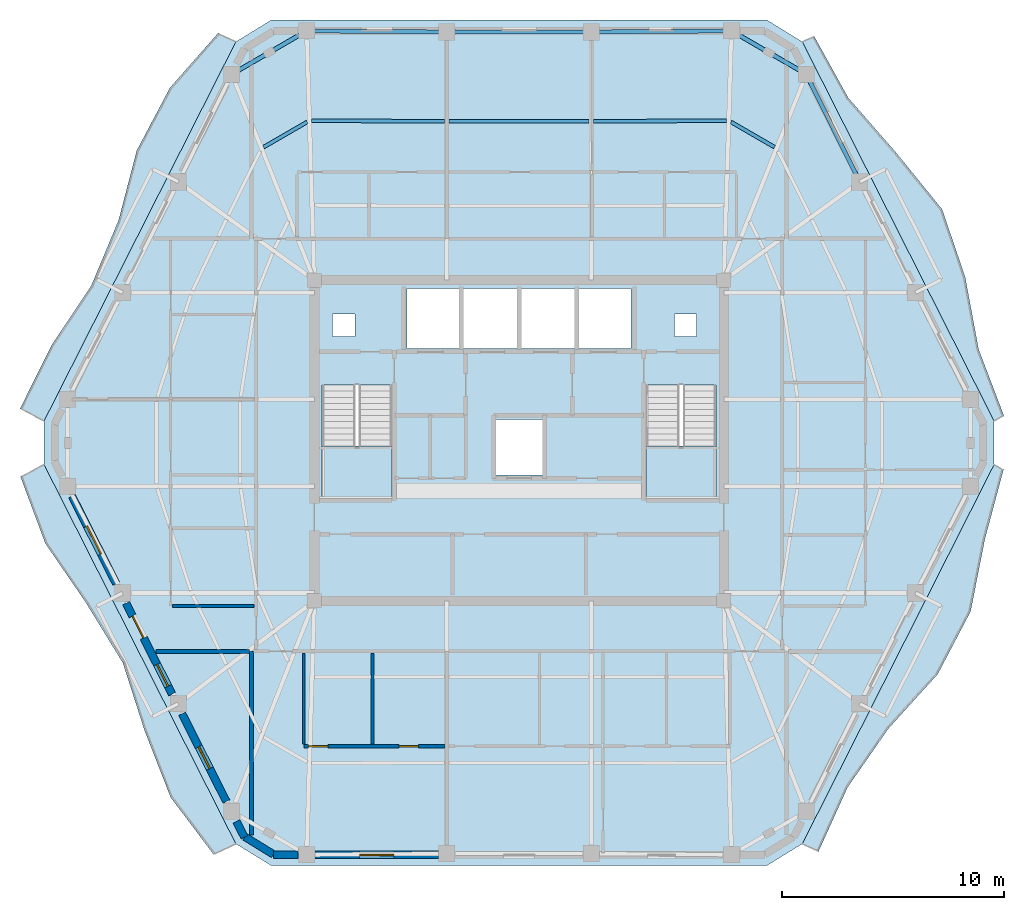
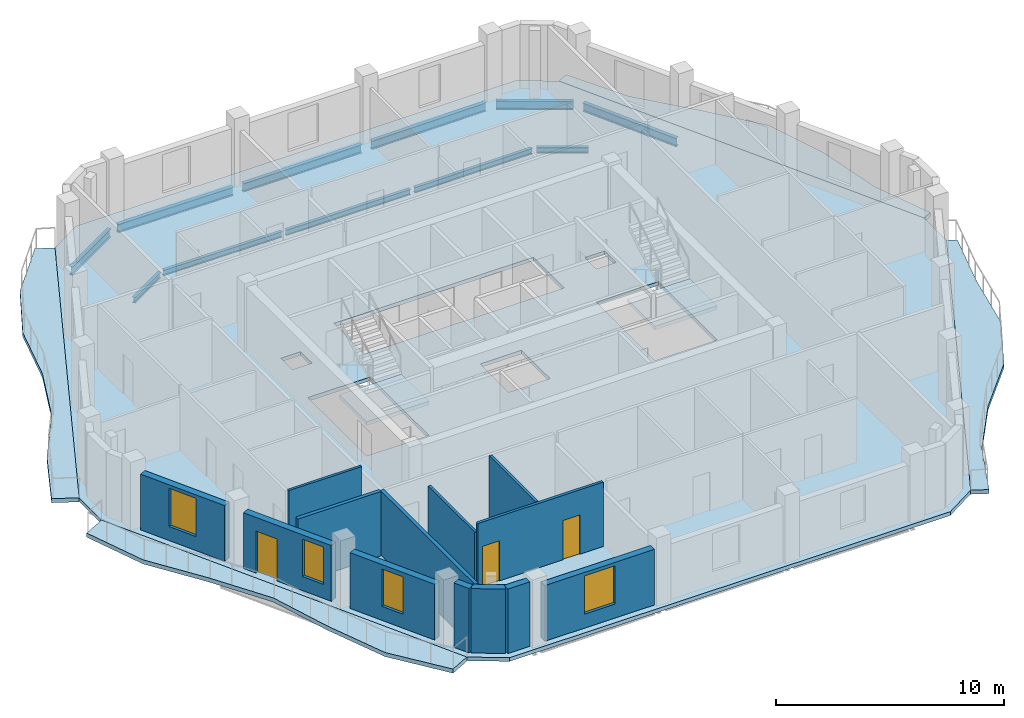
# One storey, part 3 of 12: 13 walls, 11 beams, 7 slabs, 4 windows, 3 doors, 7 openings, 2 elements without a shape of their own.
"""IFC4 building model written with IfcOpenShell, lengths in metres."""

from ifc_helpers import new_model, si_unit, direction, frame, frame_2d, origin, origin_2d, place, context, subcontext, project, spatial, polyline, rectangle, i_section, outline, extrude, material, layer, layer_set, material_profile, profile_set, type_object, element, fill, aggregate, save


model = new_model("IFC4")

# Units and contexts
model_context = context("Model", 3, precision=1e-05, world=origin(), true_north=direction((0.0, 1.0)))
body_context = subcontext(model_context, "Body", "Model", "MODEL_VIEW")
ifc_project = project(units=[si_unit("LENGTHUNIT", "METRE"), si_unit("AREAUNIT", "SQUARE_METRE"), si_unit("VOLUMEUNIT", "CUBIC_METRE"), si_unit("PLANEANGLEUNIT", "RADIAN"), si_unit("MASSUNIT", "GRAM", prefix="KILO")], contexts=[model_context])

# Site, building, storey
site_placement = place(None, origin())
site = spatial("IfcSite", under=ifc_project, at=site_placement, CompositionType="ELEMENT")
building_placement = place(site_placement, origin())
building = spatial("IfcBuilding", under=site, at=building_placement, Name="Cinnabar Lancet Tower", CompositionType="ELEMENT")
storey_placement = place(building_placement, frame((0.0, 0.0, 237.949951171875)))
storey = spatial("IfcBuildingStorey", under=building, at=storey_placement, Name="L63", CompositionType="ELEMENT", Elevation=237.949951171875)

# Beams
ifc_material_1 = material(Name="Structural steel S355", Category="steel")
ifc_material_profile_1 = material_profile(ifc_material_1, i_section(OverallWidth=0.1650390625, OverallDepth=0.303466796875, WebThickness=0.006103515625, FlangeThickness=0.01025390625, FilletRadius=0.0087890625, at=origin_2d()), Name="UKB 305x165x40")
ifc_profile_set_1 = profile_set([ifc_material_profile_1], Name="Structural steel S355")
beam_type_1 = type_object("IfcBeamType", Name="STR-BM-JST-305", PredefinedType="JOIST", material=ifc_profile_set_1)
beam_1_placement = place(storey_placement, frame((43.912109375, 39.1201171875, -0.35205078125), z_axis=(-0.865426285481, 0.501036270542, 0.0), x_axis=(-0.501036270542, -0.865426285481, 0.0)))
element("IfcBeam", 1, at=beam_1_placement, inside=storey, type_object=beam_type_1, Name="L63 Secondary Floor Joist 29", PredefinedType="JOIST", context=body_context, shape_type="SweptSolid", body=[
    extrude(i_section(OverallWidth=0.1650390625, OverallDepth=0.303466796875, WebThickness=0.006103515625, FlangeThickness=0.01025390625, FilletRadius=0.0087890625, at=origin_2d()), origin(), (0.0, 0.0, 1.0), 2.267333984375),
])
beam_2_placement = place(storey_placement, frame((41.741943359375, 40.31494140625, -0.35205078125), z_axis=(-0.999985712428, -0.005345553266, 0.0), x_axis=(0.005345553266, -0.999985712428, 0.0)))
element("IfcBeam", 2, at=beam_2_placement, inside=storey, type_object=beam_type_1, Name="L63 Secondary Floor Joist 30", PredefinedType="JOIST", context=body_context, shape_type="SweptSolid", body=[
    extrude(i_section(OverallWidth=0.1650390625, OverallDepth=0.303466796875, WebThickness=0.006103515625, FlangeThickness=0.01025390625, FilletRadius=0.0087890625, at=origin_2d()), origin(), (0.0, 0.0, 1.0), 5.98291015625),
])
beam_3_placement = place(storey_placement, frame((35.549072265625, 40.281982421875, -0.35205078125), z_axis=(-1.0, 0.0, 0.0), x_axis=(0.0, -1.0, 0.0)))
element("IfcBeam", 3, at=beam_3_placement, inside=storey, type_object=beam_type_1, Name="L63 Secondary Floor Joist 32", PredefinedType="JOIST", context=body_context, shape_type="SweptSolid", body=[
    extrude(i_section(OverallWidth=0.1650390625, OverallDepth=0.303466796875, WebThickness=0.006103515625, FlangeThickness=0.01025390625, FilletRadius=0.0087890625, at=origin_2d()), origin(), (0.0, 0.0, 1.0), 6.298095703125),
])
beam_4_placement = place(storey_placement, frame((29.041015625, 40.282958984375, -0.35205078125), z_axis=(-0.999985712428, 0.005345553266, 0.0), x_axis=(-0.005345553266, -0.999985712428, 0.0)))
element("IfcBeam", 4, at=beam_4_placement, inside=storey, type_object=beam_type_1, Name="L63 Secondary Floor Joist 34", PredefinedType="JOIST", context=body_context, shape_type="SweptSolid", body=[
    extrude(i_section(OverallWidth=0.1650390625, OverallDepth=0.303466796875, WebThickness=0.006103515625, FlangeThickness=0.01025390625, FilletRadius=0.0087890625, at=origin_2d()), origin(), (0.0, 0.0, 1.0), 5.98291015625),
])
beam_5_placement = place(storey_placement, frame((22.85009765625, 40.256103515625, -0.35205078125), z_axis=(-0.865426285481, -0.501036270542, 0.0), x_axis=(0.501036270542, -0.865426285481, 0.0)))
element("IfcBeam", 5, at=beam_5_placement, inside=storey, type_object=beam_type_1, Name="L63 Secondary Floor Joist 36", PredefinedType="JOIST", context=body_context, shape_type="SweptSolid", body=[
    extrude(i_section(OverallWidth=0.1650390625, OverallDepth=0.303466796875, WebThickness=0.006103515625, FlangeThickness=0.01025390625, FilletRadius=0.0087890625, at=origin_2d()), origin(), (0.0, 0.0, 1.0), 2.267333984375),
])
ifc_material_2 = material(Name="Structural steel S355", Category="steel")
ifc_material_profile_2 = material_profile(ifc_material_2, i_section(OverallWidth=0.1904296875, OverallDepth=0.45703125, WebThickness=0.009033203125, FlangeThickness=0.014404296875, FilletRadius=0.01025390625, at=origin_2d()), Name="UKB 457x191x74")
ifc_profile_set_2 = profile_set([ifc_material_profile_2], Name="Structural steel S355")
beam_type_2 = type_object("IfcBeamType", Name="STR-BM-SPN-457", PredefinedType="SPANDREL", material=ifc_profile_set_2)
beam_6_placement = place(storey_placement, frame((47.637939453125, 37.778076171875, -0.427978515625), z_axis=(-0.444372599207, 0.895842058107, 0.0), x_axis=(-0.895842058107, -0.444372599207, 0.0)))
element("IfcBeam", 6, at=beam_6_placement, inside=storey, type_object=beam_type_2, Name="L63 Perimeter Spandrel 11", PredefinedType="SPANDREL", context=body_context, shape_type="SweptSolid", body=[
    extrude(i_section(OverallWidth=0.1904296875, OverallDepth=0.45703125, WebThickness=0.009033203125, FlangeThickness=0.014404296875, FilletRadius=0.01025390625, at=origin_2d()), origin(), (0.0, 0.0, 1.0), 4.91943359375),
])
beam_7_placement = place(storey_placement, frame((45.125, 42.533935546875, -0.427978515625), z_axis=(-0.865199693264, 0.501427453153, 0.0), x_axis=(-0.501427453153, -0.865199693264, 0.0)))
element("IfcBeam", 7, at=beam_7_placement, inside=storey, type_object=beam_type_2, Name="L63 Perimeter Spandrel 12", PredefinedType="SPANDREL", context=body_context, shape_type="SweptSolid", body=[
    extrude(i_section(OverallWidth=0.1904296875, OverallDepth=0.45703125, WebThickness=0.009033203125, FlangeThickness=0.014404296875, FilletRadius=0.01025390625, at=origin_2d()), origin(), (0.0, 0.0, 1.0), 3.39453125),
])
beam_8_placement = place(storey_placement, frame((41.721923828125, 44.35888671875, -0.427978515625), z_axis=(-0.999964782464, -0.008392486634, 0.0), x_axis=(0.008392486634, -0.999964782464, 0.0)))
element("IfcBeam", 8, at=beam_8_placement, inside=storey, type_object=beam_type_2, Name="L63 Perimeter Spandrel 13", PredefinedType="SPANDREL", context=body_context, shape_type="SweptSolid", body=[
    extrude(i_section(OverallWidth=0.1904296875, OverallDepth=0.45703125, WebThickness=0.009033203125, FlangeThickness=0.014404296875, FilletRadius=0.01025390625, at=origin_2d()), origin(), (0.0, 0.0, 1.0), 5.818115234375),
])
beam_9_placement = place(storey_placement, frame((35.404052734375, 44.30810546875, -0.427978515625), z_axis=(-1.0, 0.0, 0.0), x_axis=(0.0, -1.0, 0.0)))
element("IfcBeam", 9, at=beam_9_placement, inside=storey, type_object=beam_type_2, Name="L63 Perimeter Spandrel 14", PredefinedType="SPANDREL", context=body_context, shape_type="SweptSolid", body=[
    extrude(i_section(OverallWidth=0.1904296875, OverallDepth=0.45703125, WebThickness=0.009033203125, FlangeThickness=0.014404296875, FilletRadius=0.01025390625, at=origin_2d()), origin(), (0.0, 0.0, 1.0), 6.008056640625),
])
beam_10_placement = place(storey_placement, frame((28.89599609375, 44.31005859375, -0.427978515625), z_axis=(-0.999964785419, 0.008392134492, 0.0), x_axis=(-0.008392134492, -0.999964785419, 0.0)))
element("IfcBeam", 10, at=beam_10_placement, inside=storey, type_object=beam_type_2, Name="L63 Perimeter Spandrel 15", PredefinedType="SPANDREL", context=body_context, shape_type="SweptSolid", body=[
    extrude(i_section(OverallWidth=0.1904296875, OverallDepth=0.45703125, WebThickness=0.009033203125, FlangeThickness=0.014404296875, FilletRadius=0.01025390625, at=origin_2d()), origin(), (0.0, 0.0, 1.0), 5.818359375),
])
beam_11_placement = place(storey_placement, frame((22.612060546875, 44.236083984375, -0.427978515625), z_axis=(-0.865199693264, -0.501427453153, 0.0), x_axis=(0.501427453153, -0.865199693264, 0.0)))
element("IfcBeam", 11, at=beam_11_placement, inside=storey, type_object=beam_type_2, Name="L63 Perimeter Spandrel 16", PredefinedType="SPANDREL", context=body_context, shape_type="SweptSolid", body=[
    extrude(i_section(OverallWidth=0.1904296875, OverallDepth=0.45703125, WebThickness=0.009033203125, FlangeThickness=0.014404296875, FilletRadius=0.01025390625, at=origin_2d()), origin(), (0.0, 0.0, 1.0), 3.39453125),
])

# Stair, slab
ifc_material_3 = material(Name="Concrete C40/50", Category="concrete")
stair_type = type_object("IfcStairType", Name="ST-CORE", PredefinedType="HALF_TURN_STAIR", material=ifc_material_3)
stair_1_placement = place(storey_placement, origin())
stair_1 = element("IfcStair", 12, at=stair_1_placement, inside=storey, type_object=stair_type, Name="L63 ST-1", PredefinedType="HALF_TURN_STAIR")
ifc_material_4 = material(Name="Concrete C40/50", Category="concrete")
ifc_layer_1 = layer(ifc_material_4, 0.199951171875)
ifc_layer_set_1 = layer_set([ifc_layer_1], Name="Concrete C40/50")
slab_type_1 = type_object("IfcSlabType", Name="LANDING-CORE", PredefinedType="LANDING", material=ifc_layer_set_1)
slab_1_placement = place(storey_placement, frame((0.0, 0.0, 1.625)))
slab_1 = element("IfcSlab", 13, at=slab_1_placement, type_object=slab_type_1, Name="ST-1 landing 1", PredefinedType="LANDING", context=body_context, shape_type="SweptSolid", body=[
    extrude(outline(polyline([(23.52490234375, 25.64990234375), (23.52490234375, 23.25), (26.675048828125, 23.25), (26.675048828125, 25.64990234375), (23.52490234375, 25.64990234375)])), origin(), (0.0, 0.0, 1.0), 0.199951171875),
])
aggregate(stair_1, [slab_1])

stair_2_placement = place(storey_placement, origin())
stair_2 = element("IfcStair", 14, at=stair_2_placement, inside=storey, type_object=stair_type, Name="L63 ST-2", PredefinedType="HALF_TURN_STAIR")
slab_2_placement = place(storey_placement, frame((0.0, 0.0, 1.625)))
slab_2 = element("IfcSlab", 15, at=slab_2_placement, type_object=slab_type_1, Name="ST-2 landing 1", PredefinedType="LANDING", context=body_context, shape_type="SweptSolid", body=[
    extrude(outline(polyline([(38.125, 25.64990234375), (38.125, 23.25), (41.27490234375, 23.25), (41.27490234375, 25.64990234375), (38.125, 25.64990234375)])), origin(), (0.0, 0.0, 1.0), 0.199951171875),
])
aggregate(stair_2, [slab_2])

# Slabs
ifc_material_5 = material(Name="Concrete C40/50", Category="concrete")
ifc_layer_2 = layer(ifc_material_5, 0.199951171875)
ifc_layer_set_2 = layer_set([ifc_layer_2], Name="Concrete C40/50")
slab_type_2 = type_object("IfcSlabType", Name="STR-SLB-FLR-200", PredefinedType="FLOOR", material=ifc_layer_set_2)
slab_3_placement = place(storey_placement, frame((0.0, 0.0, -0.199951171875)))
element("IfcSlab", 16, at=slab_3_placement, inside=storey, type_object=slab_type_2, Name="L63 Structural Floor Slab", PredefinedType="FLOOR", context=body_context, shape_type="SweptSolid", body=[
    extrude(outline(polyline([(19.638916015625, 7.73193359375), (21.236083984375, 6.75), (43.56396484375, 6.75), (45.160888671875, 7.73193359375), (53.802978515625, 24.818115234375), (53.802978515625, 26.781982421875), (45.160888671875, 43.867919921875), (43.56396484375, 44.85009765625), (21.236083984375, 44.85009765625), (19.638916015625, 43.867919921875), (10.9970703125, 26.781982421875), (10.9970703125, 24.818115234375), (19.638916015625, 7.73193359375)]), holes=[polyline([(23.52490234375, 23.25), (26.675048828125, 23.25), (26.675048828125, 28.3994140625), (23.52490234375, 28.3994140625), (23.52490234375, 23.25)]), polyline([(38.125, 23.25), (41.27490234375, 23.25), (41.27490234375, 28.3994140625), (38.125, 28.3994140625), (38.125, 23.25)]), polyline([(27.35009765625, 30.050048828125), (37.449951171875, 30.050048828125), (37.449951171875, 32.75), (27.35009765625, 32.75), (27.35009765625, 30.050048828125)]), polyline([(31.35009765625, 24.35009765625), (33.449951171875, 24.35009765625), (33.449951171875, 26.85009765625), (31.35009765625, 26.85009765625), (31.35009765625, 24.35009765625)]), polyline([(24.0, 30.60009765625), (25.0, 30.60009765625), (25.0, 31.60009765625), (24.0, 31.60009765625), (24.0, 30.60009765625)]), polyline([(39.39990234375, 30.60009765625), (40.39990234375, 30.60009765625), (40.39990234375, 31.60009765625), (39.39990234375, 31.60009765625), (39.39990234375, 30.60009765625)])]), origin(), (0.0, 0.0, 1.0), 0.199951171875),
])
ifc_material_6 = material(Name="Concrete C45/55", Category="concrete")
ifc_layer_3 = layer(ifc_material_6, 0.219970703125)
ifc_layer_set_3 = layer_set([ifc_layer_3], Name="Concrete C45/55")
slab_type_3 = type_object("IfcSlabType", Name="STR-SLB-WAV-220", PredefinedType="FLOOR", material=ifc_layer_set_3)
slab_4_placement = place(storey_placement, frame((0.0, 0.0, -0.219970703125)))
element("IfcSlab", 17, at=slab_4_placement, inside=storey, type_object=slab_type_3, Name="L63 Face 2 Undulating Wave Balcony Slab", PredefinedType="FLOOR", context=body_context, shape_type="SweptSolid", body=[
    extrude(outline(polyline([(45.160888671875, 7.73193359375), (45.881103515625, 7.367919921875), (47.199951171875, 10.277099609375), (49.0400390625, 12.923095703125), (51.261962890625, 15.375), (52.742919921875, 18.201904296875), (53.385009765625, 21.452880859375), (54.22900390625, 24.60205078125), (53.802978515625, 24.818115234375), (45.160888671875, 7.73193359375)])), origin(), (0.0, 0.0, 1.0), 0.219970703125),
])
slab_5_placement = place(storey_placement, frame((0.0, 0.0, -0.219970703125)))
element("IfcSlab", 18, at=slab_5_placement, inside=storey, type_object=slab_type_3, Name="L63 Face 3 Undulating Wave Balcony Slab", PredefinedType="FLOOR", context=body_context, shape_type="SweptSolid", body=[
    extrude(outline(polyline([(53.802978515625, 26.781982421875), (54.2490234375, 27.008056640625), (53.10693359375, 30.006103515625), (52.498046875, 33.27392578125), (51.4580078125, 36.323974609375), (49.39990234375, 38.860107421875), (47.23388671875, 41.340087890625), (45.68505859375, 44.133056640625), (45.160888671875, 43.867919921875), (53.802978515625, 26.781982421875)])), origin(), (0.0, 0.0, 1.0), 0.219970703125),
])
slab_6_placement = place(storey_placement, frame((0.0, 0.0, -0.219970703125)))
element("IfcSlab", 19, at=slab_6_placement, inside=storey, type_object=slab_type_3, Name="L63 Face 5 Undulating Wave Balcony Slab", PredefinedType="FLOOR", context=body_context, shape_type="SweptSolid", body=[
    extrude(outline(polyline([(19.638916015625, 43.867919921875), (18.847900390625, 44.26806640625), (16.6689453125, 41.7939453125), (15.176025390625, 38.972900390625), (14.35107421875, 35.81396484375), (13.117919921875, 32.861083984375), (11.33203125, 30.18896484375), (9.9130859375, 27.330078125), (10.9970703125, 26.781982421875), (19.638916015625, 43.867919921875)])), origin(), (0.0, 0.0, 1.0), 0.219970703125),
])
slab_7_placement = place(storey_placement, frame((0.0, 0.0, -0.219970703125)))
element("IfcSlab", 20, at=slab_7_placement, inside=storey, type_object=slab_type_3, Name="L63 Face 6 Undulating Wave Balcony Slab", PredefinedType="FLOOR", context=body_context, shape_type="SweptSolid", body=[
    extrude(outline(polyline([(10.9970703125, 24.818115234375), (9.93310546875, 24.280029296875), (11.052978515625, 21.27001953125), (12.873046875, 18.614013671875), (14.547119140625, 15.885009765625), (15.535888671875, 12.80908203125), (16.702880859375, 9.822998046875), (18.652099609375, 7.23291015625), (19.638916015625, 7.73193359375), (10.9970703125, 24.818115234375)])), origin(), (0.0, 0.0, 1.0), 0.219970703125),
])

# Walls
ifc_material_7 = material(Name="Fire-rated twin-frame acoustic drywall", Category="gypsum")
ifc_layer_4 = layer(ifc_material_7, 0.179931640625)
ifc_layer_set_4 = layer_set([ifc_layer_4], Name="Fire-rated twin-frame acoustic drywall")
wall_type_1 = type_object("IfcWallType", Name="ARC-WL-PARTY-180", PredefinedType="PARTITIONING", material=ifc_layer_set_4)
wall_1_placement = place(storey_placement, frame((20.35009765625, 8.118896484375, 0.0), z_axis=(0.0, 0.0, 1.0), x_axis=(0.0, 1.0, 0.0)))
element("IfcWall", 21, at=wall_1_placement, inside=storey, type_object=wall_type_1, Name="PW-L63-SPTY-204", PredefinedType="PARTITIONING", context=body_context, shape_type="SweptSolid", body=[
    extrude(rectangle(XDim=8.281005859375, YDim=0.179931640625, at=frame_2d((4.140625, 0.0))), origin(), (0.0, 0.0, 1.0), 3.449951171875),
])
wall_2_placement = place(storey_placement, frame((16.033935546875, 16.39990234375, 0.0), z_axis=(0.0, 0.0, 1.0), x_axis=(1.0, 0.0, 0.0)))
element("IfcWall", 22, at=wall_2_placement, inside=storey, type_object=wall_type_1, Name="PW-L63-WSB", PredefinedType="PARTITIONING", context=body_context, shape_type="SweptSolid", body=[
    extrude(rectangle(XDim=4.220947265625, YDim=0.179931640625, at=frame_2d((2.1103515625, 0.0))), origin(), (0.0, 0.0, 1.0), 3.449951171875),
])
ifc_material_8 = material(Name="Gypsum plasterboard stud partition", Category="gypsum")
ifc_layer_5 = layer(ifc_material_8, 0.125)
ifc_layer_set_5 = layer_set([ifc_layer_5], Name="Gypsum plasterboard stud partition")
wall_type_2 = type_object("IfcWallType", Name="ARC-WL-UNIT-125", PredefinedType="PARTITIONING", material=ifc_layer_set_5)
wall_3_placement = place(storey_placement, frame((22.699951171875, 12.235107421875, 0.0), z_axis=(0.0, 0.0, 1.0), x_axis=(0.0, 1.0, 0.0)))
element("IfcWall", 23, at=wall_3_placement, inside=storey, type_object=wall_type_2, Name="UW-L63-S01-FOYE", PredefinedType="PARTITIONING", context=body_context, shape_type="SweptSolid", body=[
    extrude(rectangle(XDim=4.079833984375, YDim=0.125, at=frame_2d((2.0400390625, 0.0))), origin(), (0.0, 0.0, 1.0), 2.906982421875),
])
wall_4_placement = place(storey_placement, frame((16.784912109375, 18.449951171875, 0.0), z_axis=(0.0, 0.0, 1.0), x_axis=(1.0, 0.0, 0.0)))
element("IfcWall", 24, at=wall_4_placement, inside=storey, type_object=wall_type_2, Name="UW-L63-W01-FOYN", PredefinedType="PARTITIONING", context=body_context, shape_type="SweptSolid", body=[
    extrude(rectangle(XDim=3.68017578125, YDim=0.125, at=frame_2d((1.840087890625, 0.0))), origin(), (0.0, 0.0, 1.0), 3.449951171875),
])

# Wall, openings, doors
ifc_material_9 = material(Name="Moisture-resistant cement-board plumbing wall", Category="masonry")
ifc_layer_6 = layer(ifc_material_9, 0.139892578125)
ifc_layer_set_6 = layer_set([ifc_layer_6], Name="Moisture-resistant cement-board plumbing wall")
wall_type_3 = type_object("IfcWallType", Name="ARC-WL-WET-140", PredefinedType="PLUMBINGWALL", material=ifc_layer_set_6)
wall_5_placement = place(storey_placement, frame((22.699951171875, 12.1298828125, 0.0), z_axis=(0.0, 0.0, 1.0), x_axis=(1.0, 0.0, 0.0)))
wall_5 = element("IfcWall", 25, at=wall_5_placement, inside=storey, type_object=wall_type_3, Name="UW-L63-S01-SPL", PredefinedType="PLUMBINGWALL", context=body_context, shape_type="SweptSolid", body=[
    extrude(rectangle(XDim=6.35107421875, YDim=0.139892578125, at=frame_2d((3.175537109375, 0.0))), origin(), (0.0, 0.0, 1.0), 3.449951171875),
])
opening_1_placement = place(wall_5_placement, frame((4.298095703125, 0.0, 0.0)))
opening_1 = element("IfcOpeningElement", 26, at=opening_1_placement, cuts=wall_5, Name="Opening BD-01", PredefinedType="OPENING", context=body_context, shape_type="SweptSolid", body=[
    extrude(rectangle(XDim=0.860107421875, YDim=2.10009765625, at=frame_2d((0.43017578125, 1.050048828125))), frame((0.0, 0.079833984375, 0.0), z_axis=(0.0, -1.0, 0.0), x_axis=(1.0, 0.0, 0.0)), (0.0, 0.0, 1.0), 0.159912109375),
])
opening_2_placement = place(wall_5_placement, frame((0.219970703125, 0.0, 0.0)))
opening_2 = element("IfcOpeningElement", 27, at=opening_2_placement, cuts=wall_5, Name="Opening RD-02", PredefinedType="OPENING", context=body_context, shape_type="SweptSolid", body=[
    extrude(rectangle(XDim=0.8798828125, YDim=2.14990234375, at=frame_2d((0.43994140625, 1.074951171875))), frame((0.0, 0.079833984375, 0.0), z_axis=(0.0, -1.0, 0.0), x_axis=(1.0, 0.0, 0.0)), (0.0, 0.0, 1.0), 0.159912109375),
])
ifc_material_10 = material(Name="Moisture-resistant timber bathroom door", Category="wood")
door_type_1 = type_object("IfcDoorType", Name="ARC-DR-BATH", OperationType="NOTDEFINED", PredefinedType="DOOR", material=ifc_material_10)
door_1_placement = place(opening_1_placement, origin())
door_1 = element("IfcDoor", 28, at=door_1_placement, inside=storey, type_object=door_type_1, Name="DR-L63-S01-BTH", OperationType="SINGLE_SWING_LEFT", OverallHeight=2.10009765625, OverallWidth=0.860107421875, PredefinedType="DOOR", context=body_context, shape_type="SweptSolid", body=[
    extrude(rectangle(XDim=0.860107421875, YDim=2.10009765625, at=frame_2d((0.43017578125, 1.050048828125))), frame((0.0, 0.02490234375, 0.0), z_axis=(0.0, -1.0, 0.0), x_axis=(1.0, 0.0, 0.0)), (0.0, 0.0, 1.0), 0.050048828125),
])
fill(opening_1, door_1)
ifc_material_11 = material(Name="Engineered timber study door", Category="wood")
door_type_2 = type_object("IfcDoorType", Name="ARC-DR-STUDY", OperationType="NOTDEFINED", PredefinedType="DOOR", material=ifc_material_11)
door_2_placement = place(opening_2_placement, origin())
door_2 = element("IfcDoor", 29, at=door_2_placement, inside=storey, type_object=door_type_2, Name="DR-L63-S01-KIT", OperationType="SINGLE_SWING_RIGHT", OverallHeight=2.14990234375, OverallWidth=0.8798828125, PredefinedType="DOOR", context=body_context, shape_type="SweptSolid", body=[
    extrude(rectangle(XDim=0.8798828125, YDim=2.14990234375, at=frame_2d((0.43994140625, 1.074951171875))), frame((0.0, 0.02490234375, 0.0), z_axis=(0.0, -1.0, 0.0), x_axis=(1.0, 0.0, 0.0)), (0.0, 0.0, 1.0), 0.050048828125),
])
fill(opening_2, door_2)

# Walls
wall_6_placement = place(storey_placement, frame((25.7939453125, 12.235107421875, 0.0), z_axis=(0.0, 0.0, 1.0), x_axis=(0.0, 1.0, 0.0)))
element("IfcWall", 30, at=wall_6_placement, inside=storey, type_object=wall_type_3, Name="UW-L63-S01-KDV", PredefinedType="PLUMBINGWALL", context=body_context, shape_type="SweptSolid", body=[
    extrude(rectangle(XDim=4.079833984375, YDim=0.139892578125, at=frame_2d((2.0400390625, 0.0))), origin(), (0.0, 0.0, 1.0), 3.449951171875),
])
ifc_material_12 = material(Name="Cinnabar red clay brick", Category="masonry")
ifc_layer_7 = layer(ifc_material_12, 0.340087890625)
ifc_layer_set_7 = layer_set([ifc_layer_7], Name="Cinnabar red clay brick")
wall_type_4 = type_object("IfcWallType", Name="ENV-WL-BRK-RED-340", PredefinedType="STANDARD", material=ifc_layer_set_7)
wall_7_placement = place(storey_placement, frame((20.047119140625, 8.044921875, 0.0), z_axis=(0.0, 0.0, 1.0), x_axis=(0.851680557619, -0.52406128246, 0.0)))
element("IfcWall", 31, at=wall_7_placement, inside=storey, type_object=wall_type_4, Name="L63 Chamfered Corner Brick Pier 1.1", PredefinedType="STANDARD", context=body_context, shape_type="SweptSolid", body=[
    extrude(rectangle(XDim=1.507568359375, YDim=0.340087890625, at=frame_2d((0.75390625, 0.0))), origin(), (0.0, 0.0, 1.0), 3.449951171875),
])
wall_8_placement = place(storey_placement, frame((21.325927734375, 7.22998046875, 0.0), z_axis=(0.0, 0.0, 1.0), x_axis=(1.0, 0.0, 0.0)))
element("IfcWall", 32, at=wall_8_placement, inside=storey, type_object=wall_type_4, Name="L63 Face 1 Masonry Bay Wall 1", PredefinedType="STANDARD", context=body_context, shape_type="SweptSolid", body=[
    extrude(rectangle(XDim=1.123046875, YDim=0.340087890625, at=frame_2d((0.5615234375, 0.0))), origin(), (0.0, 0.0, 1.0), 3.449951171875),
])

# Wall, opening, window
wall_9_placement = place(storey_placement, frame((23.20703125, 7.22998046875, 0.0), z_axis=(0.0, 0.0, 1.0), x_axis=(1.0, 0.0, 0.0)))
wall_9 = element("IfcWall", 33, at=wall_9_placement, inside=storey, type_object=wall_type_4, Name="L63 Face 1 Masonry Bay Wall 2", PredefinedType="STANDARD", context=body_context, shape_type="SweptSolid", body=[
    extrude(rectangle(XDim=5.56005859375, YDim=0.340087890625, at=frame_2d((2.780029296875, 0.0))), origin(), (0.0, 0.0, 1.0), 2.983154296875),
])
opening_3_placement = place(wall_9_placement, frame((2.0048828125, 0.0, 0.75)))
opening_3 = element("IfcOpeningElement", 34, at=opening_3_placement, cuts=wall_9, Name="Opening WN-01", PredefinedType="OPENING", context=body_context, shape_type="SweptSolid", body=[
    extrude(rectangle(XDim=1.550048828125, YDim=2.050048828125, at=frame_2d((0.77490234375, 1.02490234375))), frame((0.0, 0.179931640625, 0.0), z_axis=(0.0, -1.0, 0.0), x_axis=(1.0, 0.0, 0.0)), (0.0, 0.0, 1.0), 0.360107421875),
])
ifc_material_13 = material(Name="Thermally broken bronze-anodized aluminium low-E double glazing", Category="aluminium")
window_type_1 = type_object("IfcWindowType", Name="ENV-WN-LANCET-1550", PartitioningType="SINGLE_PANEL", PredefinedType="WINDOW", material=ifc_material_13)
window_1_placement = place(opening_3_placement, origin())
window_1 = element("IfcWindow", 35, at=window_1_placement, inside=storey, type_object=window_type_1, Name="L63 Face 1 Gothic Lancet Window 2", OverallHeight=2.050048828125, OverallWidth=1.550048828125, PartitioningType="SINGLE_PANEL", PredefinedType="WINDOW", context=body_context, shape_type="SweptSolid", body=[
    extrude(rectangle(XDim=1.550048828125, YDim=2.050048828125, at=frame_2d((0.77490234375, 1.02490234375))), frame((0.0, 0.030029296875, 0.0), z_axis=(0.0, -1.0, 0.0), x_axis=(1.0, 0.0, 0.0)), (0.0, 0.0, 1.0), 0.06005859375),
])
fill(opening_3, window_1)

wall_10_placement = place(storey_placement, frame((12.257080078125, 23.388916015625, 0.0), z_axis=(0.0, 0.0, 1.0), x_axis=(0.45130817501, -0.892368158984, 0.0)))
wall_10 = element("IfcWall", 36, at=wall_10_placement, inside=storey, type_object=wall_type_4, Name="L63 Face 6 Masonry Bay Wall 2", PredefinedType="STANDARD", context=body_context, shape_type="SweptSolid", body=[
    extrude(rectangle(XDim=4.4072265625, YDim=0.340087890625, at=frame_2d((2.20361328125, 0.0))), origin(), (0.0, 0.0, 1.0), 2.983154296875),
])
opening_4_placement = place(wall_10_placement, frame((1.50390625, 0.0, 0.75)))
opening_4 = element("IfcOpeningElement", 37, at=opening_4_placement, cuts=wall_10, Name="Opening WN-02", PredefinedType="OPENING", context=body_context, shape_type="SweptSolid", body=[
    extrude(rectangle(XDim=1.39990234375, YDim=2.050048828125, at=frame_2d((0.699951171875, 1.02490234375))), frame((0.0, 0.179931640625, 0.0), z_axis=(0.0, -1.0, 0.0), x_axis=(1.0, 0.0, 0.0)), (0.0, 0.0, 1.0), 0.360107421875),
])
ifc_material_14 = material(Name="Thermally broken bronze-anodized aluminium low-E double glazing", Category="aluminium")
window_type_2 = type_object("IfcWindowType", Name="ENV-WN-LANCET-1400", PartitioningType="SINGLE_PANEL", PredefinedType="WINDOW", material=ifc_material_14)
window_2_placement = place(opening_4_placement, origin())
window_2 = element("IfcWindow", 38, at=window_2_placement, inside=storey, type_object=window_type_2, Name="L63 Face 6 Gothic Lancet Window 2", OverallHeight=2.050048828125, OverallWidth=1.39990234375, PartitioningType="SINGLE_PANEL", PredefinedType="WINDOW", context=body_context, shape_type="SweptSolid", body=[
    extrude(rectangle(XDim=1.39990234375, YDim=2.050048828125, at=frame_2d((0.699951171875, 1.02490234375))), frame((0.0, 0.030029296875, 0.0), z_axis=(0.0, -1.0, 0.0), x_axis=(1.0, 0.0, 0.0)), (0.0, 0.0, 1.0), 0.06005859375),
])
fill(opening_4, window_2)

# Wall, openings, door, window
wall_11_placement = place(storey_placement, frame((14.69091796875, 18.576904296875, 0.0), z_axis=(0.0, 0.0, 1.0), x_axis=(0.451581819983, -0.892229712496, 0.0)))
wall_11 = element("IfcWall", 39, at=wall_11_placement, inside=storey, type_object=wall_type_4, Name="L63 Face 6 Masonry Bay Wall 3", PredefinedType="STANDARD", context=body_context, shape_type="SweptSolid", body=[
    extrude(rectangle(XDim=4.599609375, YDim=0.340087890625, at=frame_2d((2.2998046875, 0.0))), origin(), (0.0, 0.0, 1.0), 2.983154296875),
])
opening_5_placement = place(wall_11_placement, frame((0.654052734375, 0.0, 0.0)))
opening_5 = element("IfcOpeningElement", 40, at=opening_5_placement, cuts=wall_11, Name="Opening TD-01", PredefinedType="OPENING", context=body_context, shape_type="SweptSolid", body=[
    extrude(rectangle(XDim=1.10009765625, YDim=2.25, at=frame_2d((0.550048828125, 1.125))), frame((0.0, 0.179931640625, 0.0), z_axis=(0.0, -1.0, 0.0), x_axis=(1.0, 0.0, 0.0)), (0.0, 0.0, 1.0), 0.360107421875),
])
opening_6_placement = place(wall_11_placement, frame((3.10009765625, 0.0, 0.75)))
opening_6 = element("IfcOpeningElement", 41, at=opening_6_placement, cuts=wall_11, Name="Opening WN-04", PredefinedType="OPENING", context=body_context, shape_type="SweptSolid", body=[
    extrude(rectangle(XDim=1.10009765625, YDim=2.0, at=frame_2d((0.550048828125, 1.0))), frame((0.0, 0.179931640625, 0.0), z_axis=(0.0, -1.0, 0.0), x_axis=(1.0, 0.0, 0.0)), (0.0, 0.0, 1.0), 0.360107421875),
])
ifc_material_15 = material(Name="Thermally broken low-E glazed balcony terrace door", Category="wood")
door_type_3 = type_object("IfcDoorType", Name="ARC-DR-BALC", OperationType="NOTDEFINED", PredefinedType="DOOR", material=ifc_material_15)
door_3_placement = place(opening_5_placement, origin())
door_3 = element("IfcDoor", 42, at=door_3_placement, inside=storey, type_object=door_type_3, Name="L63 Face 6 Glazed Terrace Door", OperationType="SINGLE_SWING_LEFT", OverallHeight=2.25, OverallWidth=1.10009765625, PredefinedType="DOOR", context=body_context, shape_type="SweptSolid", body=[
    extrude(rectangle(XDim=1.10009765625, YDim=2.25, at=frame_2d((0.550048828125, 1.125))), frame((0.0, 0.02490234375, 0.0), z_axis=(0.0, -1.0, 0.0), x_axis=(1.0, 0.0, 0.0)), (0.0, 0.0, 1.0), 0.050048828125),
])
fill(opening_5, door_3)
ifc_material_16 = material(Name="Thermally broken bronze-anodized aluminium tall lancet window", Category="aluminium")
window_type_3 = type_object("IfcWindowType", Name="ENV-WN-LANCET-1100", PartitioningType="SINGLE_PANEL", PredefinedType="WINDOW", material=ifc_material_16)
window_3_placement = place(opening_6_placement, origin())
window_3 = element("IfcWindow", 43, at=window_3_placement, inside=storey, type_object=window_type_3, Name="L63 Split-Bay Gothic Lancet Window 222", OverallHeight=2.0, OverallWidth=1.10009765625, PartitioningType="SINGLE_PANEL", PredefinedType="WINDOW", context=body_context, shape_type="SweptSolid", body=[
    extrude(rectangle(XDim=1.10009765625, YDim=2.0, at=frame_2d((0.550048828125, 1.0))), frame((0.0, 0.030029296875, 0.0), z_axis=(0.0, -1.0, 0.0), x_axis=(1.0, 0.0, 0.0)), (0.0, 0.0, 1.0), 0.06005859375),
])
fill(opening_6, window_3)

# Wall, opening, window
wall_12_placement = place(storey_placement, frame((17.214111328125, 13.590087890625, 0.0), z_axis=(0.0, 0.0, 1.0), x_axis=(0.451440846853, -0.892301048858, 0.0)))
wall_12 = element("IfcWall", 44, at=wall_12_placement, inside=storey, type_object=wall_type_4, Name="L63 Face 6 Masonry Bay Wall 4", PredefinedType="STANDARD", context=body_context, shape_type="SweptSolid", body=[
    extrude(rectangle(XDim=4.43017578125, YDim=0.340087890625, at=frame_2d((2.215087890625, 0.0))), origin(), (0.0, 0.0, 1.0), 2.983154296875),
])
opening_7_placement = place(wall_12_placement, frame((1.6650390625, 0.0, 0.75)))
opening_7 = element("IfcOpeningElement", 45, at=opening_7_placement, cuts=wall_12, Name="Opening WN-04", PredefinedType="OPENING", context=body_context, shape_type="SweptSolid", body=[
    extrude(rectangle(XDim=1.10009765625, YDim=2.0, at=frame_2d((0.550048828125, 1.0))), frame((0.0, 0.179931640625, 0.0), z_axis=(0.0, -1.0, 0.0), x_axis=(1.0, 0.0, 0.0)), (0.0, 0.0, 1.0), 0.360107421875),
])
window_4_placement = place(opening_7_placement, origin())
window_4 = element("IfcWindow", 46, at=window_4_placement, inside=storey, type_object=window_type_3, Name="L63 Face 6 Gothic Lancet Window 4", OverallHeight=2.0, OverallWidth=1.10009765625, PartitioningType="SINGLE_PANEL", PredefinedType="WINDOW", context=body_context, shape_type="SweptSolid", body=[
    extrude(rectangle(XDim=1.10009765625, YDim=2.0, at=frame_2d((0.550048828125, 1.0))), frame((0.0, 0.030029296875, 0.0), z_axis=(0.0, -1.0, 0.0), x_axis=(1.0, 0.0, 0.0)), (0.0, 0.0, 1.0), 0.06005859375),
])
fill(opening_7, window_4)

# Wall
wall_13_placement = place(storey_placement, frame((19.669921875, 8.735107421875, 0.0), z_axis=(0.0, 0.0, 1.0), x_axis=(0.451404919072, -0.89231922485, 0.0)))
element("IfcWall", 47, at=wall_13_placement, inside=storey, type_object=wall_type_4, Name="L63 Face 6 Masonry Bay Wall 5", PredefinedType="STANDARD", context=body_context, shape_type="SweptSolid", body=[
    extrude(rectangle(XDim=0.791259765625, YDim=0.340087890625, at=frame_2d((0.3955078125, 0.0))), origin(), (0.0, 0.0, 1.0), 3.449951171875),
])

save(model, "model.ifc")
